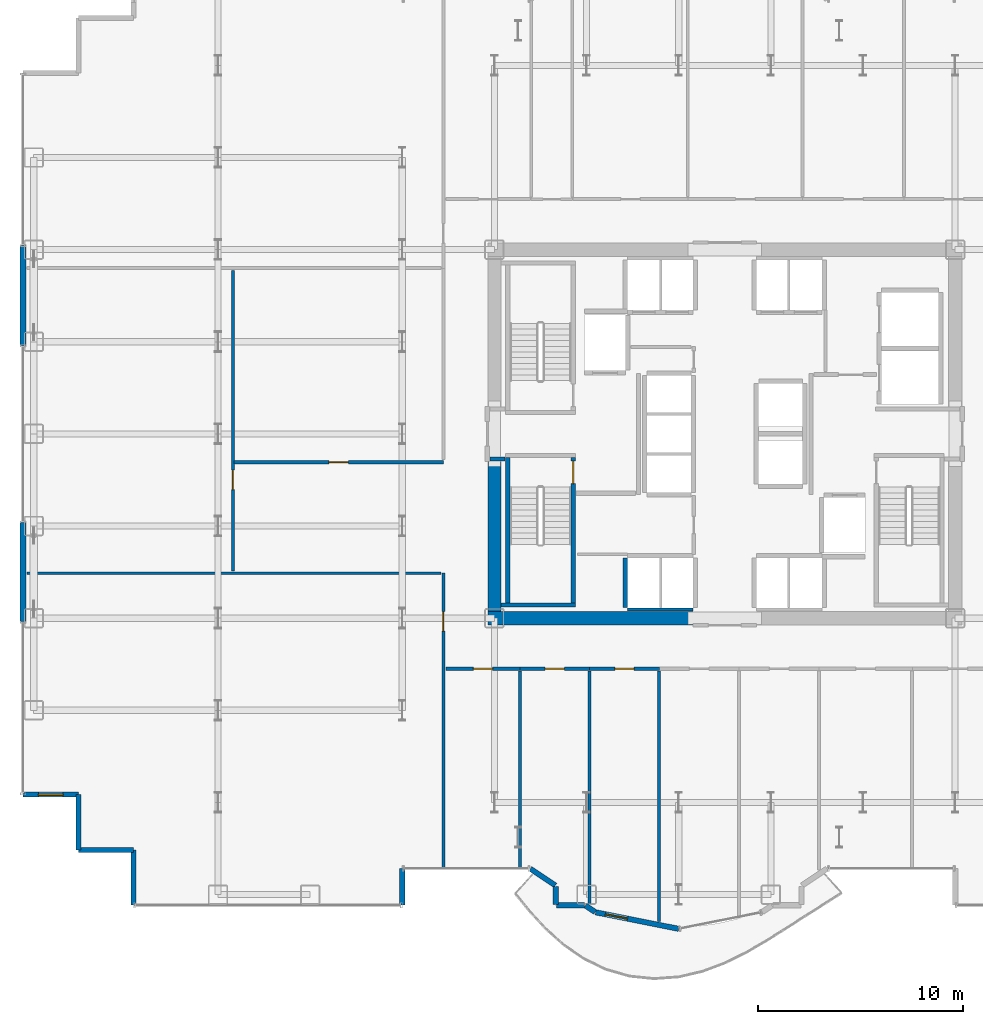
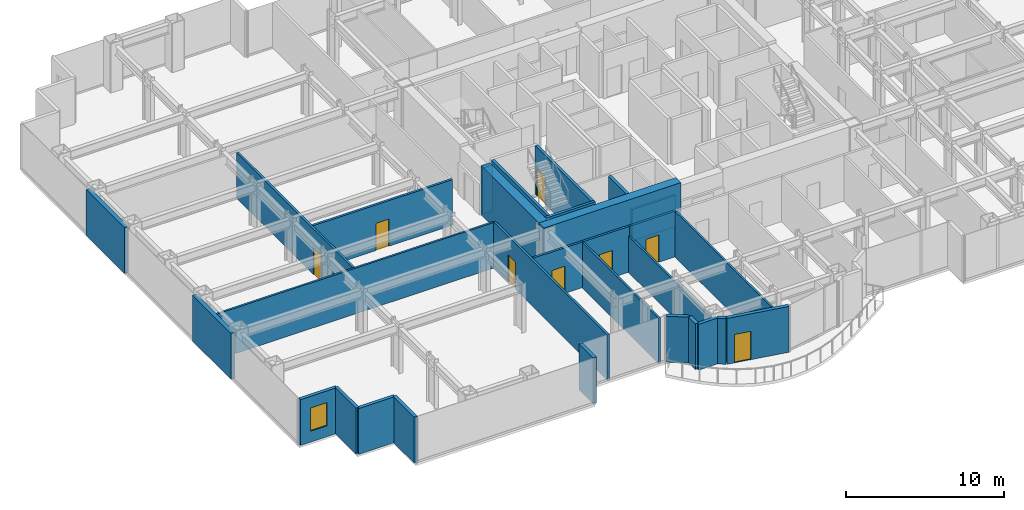
# One storey, part 22 of 29: 30 walls, 8 doors, 1 window, 9 openings.
"""IFC4 building model written with IfcOpenShell, lengths in metres."""

from ifc_helpers import new_model, si_unit, direction, frame, frame_2d, origin, place, context, subcontext, project, spatial, rectangle, extrude, source, transform, mapped, material, layer, layer_set, type_object, element, fill, save


model = new_model("IFC4")

# Units and contexts
model_context = context("Model", 3, precision=1e-05, world=origin(), true_north=direction((0.0, 1.0)))
body_context = subcontext(model_context, "Body", "Model", "MODEL_VIEW")
ifc_project = project(units=[si_unit("LENGTHUNIT", "METRE"), si_unit("AREAUNIT", "SQUARE_METRE"), si_unit("VOLUMEUNIT", "CUBIC_METRE"), si_unit("PLANEANGLEUNIT", "RADIAN"), si_unit("MASSUNIT", "GRAM", prefix="KILO")], contexts=[model_context])

# Site, building, storey
site_placement = place(None, origin())
site = spatial("IfcSite", under=ifc_project, at=site_placement, CompositionType="ELEMENT")
building_placement = place(site_placement, origin())
building = spatial("IfcBuilding", under=site, at=building_placement, Name="Nefas-Gora Pilgrimage Tower", CompositionType="ELEMENT")
storey_placement = place(building_placement, frame((0.0, 0.0, 78.60009765625)))
storey = spatial("IfcBuildingStorey", under=building, at=storey_placement, Name="L18", CompositionType="ELEMENT", Elevation=78.60009765625)

# Walls
ifc_material_1 = material(Name="Concrete C60/75", Category="concrete")
ifc_layer_1 = layer(ifc_material_1, 0.64990234375)
ifc_layer_set_1 = layer_set([ifc_layer_1], Name="Concrete C60/75")
wall_type_1 = type_object("IfcWallType", Name="SW-CORE-650", PredefinedType="SHEAR", material=ifc_layer_set_1)
shared_shape_1 = source(origin(), body_context, "Body", "SweptSolid", [
    extrude(rectangle(XDim=10.02490234375, YDim=0.64990234375, at=frame_2d((5.012451171875, 0.0))), origin(), (0.0, 0.0, 1.0), 3.7998046875),
])
wall_1_placement = place(storey_placement, frame((-11.574951171875, -9.0, 0.0), z_axis=(0.0, 0.0, 1.0), x_axis=(1.0, 0.0, 0.0)))
element("IfcWall", 1, at=wall_1_placement, inside=storey, type_object=wall_type_1, Name="L18 Core Shear Wall S-West", PredefinedType="SHEAR", context=body_context, shape_type="MappedRepresentation", body=[
    mapped(shared_shape_1, transform((0.0, 0.0, 0.0), x_axis=(1.0, 0.0, 0.0), y_axis=(0.0, 1.0, 0.0), z_axis=(0.0, 0.0, 1.0), scale=1.0)),
])
shared_shape_2 = source(origin(), body_context, "Body", "SweptSolid", [
    extrude(rectangle(XDim=7.324951171875, YDim=0.64990234375, at=frame_2d((3.66259765625, 0.0))), origin(), (0.0, 0.0, 1.0), 3.7998046875),
])
wall_2_placement = place(storey_placement, frame((-11.25, -8.675048828125, 0.0), z_axis=(0.0, 0.0, 1.0), x_axis=(0.0, 1.0, 0.0)))
element("IfcWall", 2, at=wall_2_placement, inside=storey, type_object=wall_type_1, Name="L18 Core Shear Wall W-South", PredefinedType="SHEAR", context=body_context, shape_type="MappedRepresentation", body=[
    mapped(shared_shape_2, transform((0.0, 0.0, 0.0), x_axis=(1.0, 0.0, 0.0), y_axis=(0.0, 1.0, 0.0), z_axis=(0.0, 0.0, 1.0), scale=1.0)),
])
ifc_material_2 = material(Name="Precast concrete C40/50", Category="concrete")
ifc_layer_2 = layer(ifc_material_2, 0.260009765625)
ifc_layer_set_2 = layer_set([ifc_layer_2], Name="Precast concrete C40/50")
wall_type_2 = type_object("IfcWallType", Name="EW-PORTAL-260", PredefinedType="SOLIDWALL", material=ifc_layer_set_2)
shared_shape_3 = source(origin(), body_context, "Body", "SweptSolid", [
    extrude(rectangle(XDim=1.800048828125, YDim=0.260009765625, at=frame_2d((0.89990234375, 0.0))), origin(), (0.0, 0.0, 1.0), 3.5498046875),
])
wall_3_placement = place(storey_placement, frame((-15.75, -23.02001953125, 0.0), z_axis=(0.0, 0.0, 1.0), x_axis=(0.0, 1.0, 0.0)))
element("IfcWall", 3, at=wall_3_placement, inside=storey, type_object=wall_type_2, Name="L18 Lobe Shoulder Precast Spandrel Pier 33", PredefinedType="SOLIDWALL", context=body_context, shape_type="MappedRepresentation", body=[
    mapped(shared_shape_3, transform((0.0, 0.0, 0.0), x_axis=(1.0, 0.0, 0.0), y_axis=(0.0, 1.0, 0.0), z_axis=(0.0, 0.0, 1.0), scale=1.0)),
])

# Wall, opening, window
ifc_material_3 = material(Name="Precast concrete C45/55", Category="concrete")
ifc_layer_3 = layer(ifc_material_3, 0.239990234375)
ifc_layer_set_3 = layer_set([ifc_layer_3], Name="Precast concrete C45/55")
wall_type_3 = type_object("IfcWallType", Name="EW-SERR-240", PredefinedType="SHEAR", material=ifc_layer_set_3)
shared_shape_4 = source(origin(), body_context, "Body", "SweptSolid", [
    extrude(rectangle(XDim=2.699951171875, YDim=0.239990234375, at=frame_2d((1.35009765625, 0.0))), origin(), (0.0, 0.0, 1.0), 3.5498046875),
])
wall_4_placement = place(storey_placement, frame((-34.27001953125, -17.6201171875, 0.0), z_axis=(0.0, 0.0, 1.0), x_axis=(1.0, 0.0, 0.0)))
wall_4 = element("IfcWall", 4, at=wall_4_placement, inside=storey, type_object=wall_type_3, Name="L18 Serrated Corner Shear Pier Wall 29", PredefinedType="SHEAR", context=body_context, shape_type="MappedRepresentation", body=[
    mapped(shared_shape_4, transform((0.0, 0.0, 0.0), x_axis=(1.0, 0.0, 0.0), y_axis=(0.0, 1.0, 0.0), z_axis=(0.0, 0.0, 1.0), scale=1.0)),
])
opening_1_placement = place(wall_4_placement, frame((0.75, 0.0, 0.85009765625)))
opening_1 = element("IfcOpeningElement", 5, at=opening_1_placement, cuts=wall_4, Name="Opening W-V1", PredefinedType="OPENING", context=body_context, shape_type="SweptSolid", body=[
    extrude(rectangle(XDim=1.199951171875, YDim=1.800048828125, at=frame_2d((0.60009765625, 0.89990234375))), frame((0.0, 0.1298828125, 0.0), z_axis=(0.0, -1.0, 0.0), x_axis=(1.0, 0.0, 0.0)), (0.0, 0.0, 1.0), 0.260009765625),
])
ifc_material_4 = material(Name="Dark ceramic-fritted operable aluminium-glass window", Category="aluminium")
window_type = type_object("IfcWindowType", Name="WIN-VENT-1200x1800", PartitioningType="SINGLE_PANEL", PredefinedType="WINDOW", material=ifc_material_4)
shared_shape_5 = source(origin(), body_context, "Body", "SweptSolid", [
    extrude(rectangle(XDim=1.199951171875, YDim=1.800048828125, at=frame_2d((0.60009765625, 0.89990234375))), frame((0.0, 0.030029296875, 0.0), z_axis=(0.0, -1.0, 0.0), x_axis=(1.0, 0.0, 0.0)), (0.0, 0.0, 1.0), 0.06005859375),
])
window_placement = place(opening_1_placement, origin())
window = element("IfcWindow", 6, at=window_placement, inside=storey, type_object=window_type, Name="L18 Operable Parallel-Outswing Window 29", OverallHeight=1.800048828125, OverallWidth=1.199951171875, PartitioningType="SINGLE_PANEL", PredefinedType="WINDOW", context=body_context, shape_type="MappedRepresentation", body=[
    mapped(shared_shape_5, transform((0.0, 0.0, 0.0), x_axis=(1.0, 0.0, 0.0), y_axis=(0.0, 1.0, 0.0), z_axis=(0.0, 0.0, 1.0), scale=1.0)),
])
fill(opening_1, window)

# Walls
for number, where, z_axis, x_axis, name in (
    (7, (-31.570068359375, -17.6201171875, 0.0), (0.0, 0.0, 1.0), (0.0, -1.0, 0.0), "L18 Serrated Corner Shear Pier Wall 30"),
    (8, (-31.570068359375, -20.320068359375, 0.0), (0.0, 0.0, 1.0), (1.0, 0.0, 0.0), "L18 Serrated Corner Shear Pier Wall 31"),
    (9, (-28.8701171875, -20.320068359375, 0.0), (0.0, 0.0, 1.0), (0.0, -1.0, 0.0), "L18 Serrated Corner Shear Pier Wall 32"),
):
    element("IfcWall", number, at=place(storey_placement, frame(where, z_axis=z_axis, x_axis=x_axis)), inside=storey, type_object=wall_type_3, Name=name, PredefinedType="SHEAR", context=body_context, shape_type="MappedRepresentation", body=[
        mapped(shared_shape_4, transform((0.0, 0.0, 0.0), x_axis=(1.0, 0.0, 0.0), y_axis=(0.0, 1.0, 0.0), z_axis=(0.0, 0.0, 1.0), scale=1.0)),
    ])
shared_shape_6 = source(origin(), body_context, "Body", "SweptSolid", [
    extrude(rectangle(XDim=1.468994140625, YDim=0.260009765625, at=frame_2d((0.734375, 0.0))), origin(), (0.0, 0.0, 1.0), 3.5498046875),
])
wall_5_placement = place(storey_placement, frame((-9.49462890625, -21.235595703125, 0.0), z_axis=(0.0, 0.0, 1.0), x_axis=(0.831461760506, -0.555581983884, 0.0)))
element("IfcWall", 10, at=wall_5_placement, inside=storey, type_object=wall_type_2, Name="L18 Lobe Shoulder Precast Spandrel Pier 34", PredefinedType="SOLIDWALL", context=body_context, shape_type="MappedRepresentation", body=[
    mapped(shared_shape_6, transform((0.0, 0.0, 0.0), x_axis=(1.0, 0.0, 0.0), y_axis=(0.0, 1.0, 0.0), z_axis=(0.0, 0.0, 1.0), scale=1.0)),
])
shared_shape_7 = source(origin(), body_context, "Body", "SweptSolid", [
    extrude(rectangle(XDim=0.896728515625, YDim=0.260009765625, at=frame_2d((0.4482421875, 0.0))), origin(), (0.0, 0.0, 1.0), 3.5498046875),
])
wall_6_placement = place(storey_placement, frame((-8.25, -22.09521484375, 0.0), z_axis=(0.0, 0.0, 1.0), x_axis=(0.0, -1.0, 0.0)))
element("IfcWall", 11, at=wall_6_placement, inside=storey, type_object=wall_type_2, Name="L18 Lobe Shoulder Precast Spandrel Pier 35", PredefinedType="SOLIDWALL", context=body_context, shape_type="MappedRepresentation", body=[
    mapped(shared_shape_7, transform((0.0, 0.0, 0.0), x_axis=(1.0, 0.0, 0.0), y_axis=(0.0, 1.0, 0.0), z_axis=(0.0, 0.0, 1.0), scale=1.0)),
])
shared_shape_8 = source(origin(), body_context, "Body", "SweptSolid", [
    extrude(rectangle(XDim=1.369873046875, YDim=0.260009765625, at=frame_2d((0.68505859375, 0.0))), origin(), (0.0, 0.0, 1.0), 3.5498046875),
])
wall_7_placement = place(storey_placement, frame((-8.221923828125, -23.02001953125, 0.0), z_axis=(0.0, 0.0, 1.0), x_axis=(1.0, 0.0, 0.0)))
element("IfcWall", 12, at=wall_7_placement, inside=storey, type_object=wall_type_2, Name="L18 Lobe Shoulder Precast Spandrel Pier 36", PredefinedType="SOLIDWALL", context=body_context, shape_type="MappedRepresentation", body=[
    mapped(shared_shape_8, transform((0.0, 0.0, 0.0), x_axis=(1.0, 0.0, 0.0), y_axis=(0.0, 1.0, 0.0), z_axis=(0.0, 0.0, 1.0), scale=1.0)),
])
shared_shape_9 = source(origin(), body_context, "Body", "SweptSolid", [
    extrude(rectangle(XDim=0.5654296875, YDim=0.260009765625, at=frame_2d((0.28271484375, 0.0))), origin(), (0.0, 0.0, 1.0), 3.5498046875),
])
wall_8_placement = place(storey_placement, frame((-6.80078125, -23.03564453125, 0.0), z_axis=(0.0, 0.0, 1.0), x_axis=(0.831651492666, -0.555297933317, 0.0)))
element("IfcWall", 13, at=wall_8_placement, inside=storey, type_object=wall_type_2, Name="L18 Lobe Shoulder Precast Spandrel Pier 37", PredefinedType="SOLIDWALL", context=body_context, shape_type="MappedRepresentation", body=[
    mapped(shared_shape_9, transform((0.0, 0.0, 0.0), x_axis=(1.0, 0.0, 0.0), y_axis=(0.0, 1.0, 0.0), z_axis=(0.0, 0.0, 1.0), scale=1.0)),
])
shared_shape_10 = source(origin(), body_context, "Body", "SweptSolid", [
    extrude(rectangle(XDim=4.8798828125, YDim=0.300048828125, at=frame_2d((2.43994140625, 0.0))), origin(), (0.0, 0.0, 1.0), 3.5498046875),
])
for number, where, z_axis, x_axis, name in (
    (14, (-34.27001953125, -9.18994140625, 0.0), (0.0, 0.0, 1.0), (0.0, 1.0, 0.0), "L18 Braced-Tube Precast Shear Cladding 1"),
    (15, (-34.27001953125, 4.31005859375, 0.0), (0.0, 0.0, 1.0), (0.0, 1.0, 0.0), "L18 Braced-Tube Precast Shear Cladding 2"),
):
    element("IfcWall", number, at=place(storey_placement, frame(where, z_axis=z_axis, x_axis=x_axis)), inside=storey, type_object=wall_type_3, Name=name, PredefinedType="SHEAR", context=body_context, shape_type="MappedRepresentation", body=[
        mapped(shared_shape_10, transform((0.0, 0.0, 0.0), x_axis=(1.0, 0.0, 0.0), y_axis=(0.0, 1.0, 0.0), z_axis=(0.0, 0.0, 1.0), scale=1.0)),
    ])

# Wall, opening, door
shared_shape_11 = source(origin(), body_context, "Body", "SweptSolid", [
    extrude(rectangle(XDim=4.136962890625, YDim=0.260009765625, at=frame_2d((2.068359375, 0.0))), origin(), (0.0, 0.0, 1.0), 3.5498046875),
])
wall_9_placement = place(storey_placement, frame((-6.307373046875, -23.365234375, 0.0), z_axis=(0.0, 0.0, 1.0), x_axis=(0.980782170794, -0.195105954428, 0.0)))
wall_9 = element("IfcWall", 16, at=wall_9_placement, inside=storey, type_object=wall_type_2, Name="L18 Insulated Terrace Portal Wall 38", PredefinedType="SOLIDWALL", context=body_context, shape_type="MappedRepresentation", body=[
    mapped(shared_shape_11, transform((0.0, 0.0, 0.0), x_axis=(1.0, 0.0, 0.0), y_axis=(0.0, 1.0, 0.0), z_axis=(0.0, 0.0, 1.0), scale=1.0)),
])
opening_2_placement = place(wall_9_placement, frame((0.48779296875, 0.0, 0.0)))
opening_2 = element("IfcOpeningElement", 17, at=opening_2_placement, cuts=wall_9, Name="Opening ED-B1", PredefinedType="OPENING", context=body_context, shape_type="SweptSolid", body=[
    extrude(rectangle(XDim=1.10009765625, YDim=2.199951171875, at=frame_2d((0.550048828125, 1.10009765625))), frame((0.0, 0.139892578125, 0.0), z_axis=(0.0, -1.0, 0.0), x_axis=(1.0, 0.0, 0.0)), (0.0, 0.0, 1.0), 0.280029296875),
])
ifc_material_5 = material(Name="Thermally broken glazed aluminium balcony door", Category="aluminium")
door_type_1 = type_object("IfcDoorType", Name="DR-EXT-BAL-1100", OperationType="NOTDEFINED", PredefinedType="DOOR", material=ifc_material_5)
shared_shape_12 = source(origin(), body_context, "Body", "SweptSolid", [
    extrude(rectangle(XDim=1.10009765625, YDim=2.199951171875, at=frame_2d((0.550048828125, 1.10009765625))), frame((0.0, 0.02490234375, 0.0), z_axis=(0.0, -1.0, 0.0), x_axis=(1.0, 0.0, 0.0)), (0.0, 0.0, 1.0), 0.050048828125),
])
door_1_placement = place(opening_2_placement, origin())
door_1 = element("IfcDoor", 18, at=door_1_placement, inside=storey, type_object=door_type_1, Name="L18 Exterior Door (L18 S Lobe Wave Balcony)", OperationType="SINGLE_SWING_RIGHT", OverallHeight=2.199951171875, OverallWidth=1.10009765625, PredefinedType="DOOR", context=body_context, shape_type="MappedRepresentation", body=[
    mapped(shared_shape_12, transform((0.0, 0.0, 0.0), x_axis=(1.0, 0.0, 0.0), y_axis=(0.0, 1.0, 0.0), z_axis=(0.0, 0.0, 1.0), scale=1.0)),
])
fill(opening_2, door_1)

# Walls
ifc_material_6 = material(Name="Concrete C45/55", Category="concrete")
ifc_layer_4 = layer(ifc_material_6, 0.199951171875)
ifc_layer_set_4 = layer_set([ifc_layer_4], Name="Concrete C45/55")
wall_type_4 = type_object("IfcWallType", Name="IW-STAIR-200", PredefinedType="SOLIDWALL", material=ifc_layer_set_4)
shared_shape_13 = source(origin(), body_context, "Body", "SweptSolid", [
    extrude(rectangle(XDim=3.6298828125, YDim=0.199951171875, at=frame_2d((1.81494140625, 0.0))), origin(), (0.0, 0.0, 1.0), 3.7998046875),
])
wall_10_placement = place(storey_placement, frame((-10.929931640625, -8.35009765625, 0.0), z_axis=(0.0, 0.0, 1.0), x_axis=(1.0, 0.0, 0.0)))
element("IfcWall", 19, at=wall_10_placement, inside=storey, type_object=wall_type_4, Name="L18 Stairwell Shear Wall ST-03-far", PredefinedType="SOLIDWALL", context=body_context, shape_type="MappedRepresentation", body=[
    mapped(shared_shape_13, transform((0.0, 0.0, 0.0), x_axis=(1.0, 0.0, 0.0), y_axis=(0.0, 1.0, 0.0), z_axis=(0.0, 0.0, 1.0), scale=1.0)),
])
shared_shape_14 = source(origin(), body_context, "Body", "SweptSolid", [
    extrude(rectangle(XDim=7.10009765625, YDim=0.199951171875, at=frame_2d((3.550048828125, 0.0))), origin(), (0.0, 0.0, 1.0), 3.7998046875),
])
wall_11_placement = place(storey_placement, frame((-10.60009765625, -1.14990234375, 0.0), z_axis=(0.0, 0.0, 1.0), x_axis=(0.0, -1.0, 0.0)))
element("IfcWall", 20, at=wall_11_placement, inside=storey, type_object=wall_type_4, Name="L18 Stairwell Shear Wall ST-03-left", PredefinedType="SOLIDWALL", context=body_context, shape_type="MappedRepresentation", body=[
    mapped(shared_shape_14, transform((0.0, 0.0, 0.0), x_axis=(1.0, 0.0, 0.0), y_axis=(0.0, 1.0, 0.0), z_axis=(0.0, 0.0, 1.0), scale=1.0)),
])

# Wall, opening, door
wall_12_placement = place(storey_placement, frame((-7.39990234375, -1.14990234375, 0.0), z_axis=(0.0, 0.0, 1.0), x_axis=(0.0, -1.0, 0.0)))
wall_12 = element("IfcWall", 21, at=wall_12_placement, inside=storey, type_object=wall_type_4, Name="L18 Stairwell Shear Wall ST-03-right", PredefinedType="SOLIDWALL", context=body_context, shape_type="MappedRepresentation", body=[
    mapped(shared_shape_14, transform((0.0, 0.0, 0.0), x_axis=(1.0, 0.0, 0.0), y_axis=(0.0, 1.0, 0.0), z_axis=(0.0, 0.0, 1.0), scale=1.0)),
])
opening_3_placement = place(wall_12_placement, frame((0.179931640625, 0.0, 0.0)))
opening_3 = element("IfcOpeningElement", 22, at=opening_3_placement, cuts=wall_12, Name="Opening ID-ST1", PredefinedType="OPENING", context=body_context, shape_type="SweptSolid", body=[
    extrude(rectangle(XDim=1.10009765625, YDim=2.14990234375, at=frame_2d((0.550048828125, 1.074951171875))), frame((0.0, 0.10986328125, 0.0), z_axis=(0.0, -1.0, 0.0), x_axis=(1.0, 0.0, 0.0)), (0.0, 0.0, 1.0), 0.219970703125),
])
ifc_material_7 = material(Name="Painted galvanised steel fire stair door", Category="steel")
door_type_2 = type_object("IfcDoorType", Name="DR-INT-STAIR-1100", OperationType="NOTDEFINED", PredefinedType="DOOR", material=ifc_material_7)
shared_shape_15 = source(origin(), body_context, "Body", "SweptSolid", [
    extrude(rectangle(XDim=1.10009765625, YDim=2.14990234375, at=frame_2d((0.550048828125, 1.074951171875))), frame((0.0, 0.02490234375, 0.0), z_axis=(0.0, -1.0, 0.0), x_axis=(1.0, 0.0, 0.0)), (0.0, 0.0, 1.0), 0.050048828125),
])
door_2_placement = place(opening_3_placement, origin())
door_2 = element("IfcDoor", 23, at=door_2_placement, inside=storey, type_object=door_type_2, Name="L18 Protected Exit Stair Door ST-03", OperationType="SINGLE_SWING_RIGHT", OverallHeight=2.14990234375, OverallWidth=1.10009765625, PredefinedType="DOOR", context=body_context, shape_type="MappedRepresentation", body=[
    mapped(shared_shape_15, transform((0.0, 0.0, 0.0), x_axis=(1.0, 0.0, 0.0), y_axis=(0.0, 1.0, 0.0), z_axis=(0.0, 0.0, 1.0), scale=1.0)),
])
fill(opening_3, door_2)

# Walls
ifc_material_8 = material(Name="Concrete C40/50", Category="concrete")
ifc_layer_5 = layer(ifc_material_8, 0.219970703125)
ifc_layer_set_5 = layer_set([ifc_layer_5], Name="Concrete C40/50")
wall_type_5 = type_object("IfcWallType", Name="IW-SHAFT-220", PredefinedType="SOLIDWALL", material=ifc_layer_set_5)
shared_shape_16 = source(origin(), body_context, "Body", "SweptSolid", [
    extrude(rectangle(XDim=2.429931640625, YDim=0.219970703125, at=frame_2d((1.21484375, 0.0))), origin(), (0.0, 0.0, 1.0), 3.534912109375),
])
wall_13_placement = place(storey_placement, frame((-4.860107421875, -6.06005859375, 0.0), z_axis=(0.0, 0.0, 1.0), x_axis=(0.0, -1.0, 0.0)))
element("IfcWall", 24, at=wall_13_placement, inside=storey, type_object=wall_type_5, Name="L18 Hoistway Wall PL2-W-W", PredefinedType="SOLIDWALL", context=body_context, shape_type="MappedRepresentation", body=[
    mapped(shared_shape_16, transform((0.0, 0.0, 0.0), x_axis=(1.0, 0.0, 0.0), y_axis=(0.0, 1.0, 0.0), z_axis=(0.0, 0.0, 1.0), scale=1.0)),
])
ifc_material_9 = material(Name="Gypsum acoustic stud partition")
ifc_layer_6 = layer(ifc_material_9, 0.159912109375)
ifc_layer_set_6 = layer_set([ifc_layer_6], Name="Gypsum acoustic stud partition")
wall_type_6 = type_object("IfcWallType", Name="IW-CORR-160", PredefinedType="PARTITIONING", material=ifc_layer_set_6)
shared_shape_17 = source(origin(), body_context, "Body", "SweptSolid", [
    extrude(rectangle(XDim=3.199951171875, YDim=0.159912109375, at=frame_2d((1.60009765625, 0.0))), origin(), (0.0, 0.0, 1.0), 2.4248046875),
])
wall_14_placement = place(storey_placement, frame((-4.75, -8.580078125, 0.0), z_axis=(0.0, 0.0, 1.0), x_axis=(1.0, 0.0, 0.0)))
element("IfcWall", 25, at=wall_14_placement, inside=storey, type_object=wall_type_6, Name="L18 Hoistway Wall PL2-W-S", PredefinedType="PARTITIONING", context=body_context, shape_type="MappedRepresentation", body=[
    mapped(shared_shape_17, transform((0.0, 0.0, 0.0), x_axis=(1.0, 0.0, 0.0), y_axis=(0.0, 1.0, 0.0), z_axis=(0.0, 0.0, 1.0), scale=1.0)),
])
ifc_material_10 = material(Name="Gypsum fire-rated shaftwall")
ifc_layer_7 = layer(ifc_material_10, 0.199951171875)
ifc_layer_set_7 = layer_set([ifc_layer_7], Name="Gypsum fire-rated shaftwall")
wall_type_7 = type_object("IfcWallType", Name="IW-FFLOB-200", PredefinedType="PARTITIONING", material=ifc_layer_set_7)
shared_shape_18 = source(origin(), body_context, "Body", "SweptSolid", [
    extrude(rectangle(XDim=0.719970703125, YDim=0.199951171875, at=frame_2d((0.35986328125, 0.0))), origin(), (0.0, 0.0, 1.0), 3.534912109375),
])
wall_15_placement = place(storey_placement, frame((-11.4599609375, -1.219970703125, 0.0), z_axis=(0.0, 0.0, 1.0), x_axis=(1.0, 0.0, 0.0)))
element("IfcWall", 26, at=wall_15_placement, inside=storey, type_object=wall_type_7, Name="L18 FF Lobby West Throat S Wall 7", PredefinedType="PARTITIONING", context=body_context, shape_type="MappedRepresentation", body=[
    mapped(shared_shape_18, transform((0.0, 0.0, 0.0), x_axis=(1.0, 0.0, 0.0), y_axis=(0.0, 1.0, 0.0), z_axis=(0.0, 0.0, 1.0), scale=1.0)),
])
ifc_material_11 = material(Name="Gypsum twin-stud partition")
ifc_layer_8 = layer(ifc_material_11, 0.139892578125)
ifc_layer_set_8 = layer_set([ifc_layer_8], Name="Gypsum twin-stud partition")
wall_type_8 = type_object("IfcWallType", Name="IW-UNIT-140", PredefinedType="PARTITIONING", material=ifc_layer_set_8)
shared_shape_19 = source(origin(), body_context, "Body", "SweptSolid", [
    extrude(rectangle(XDim=20.219970703125, YDim=0.139892578125, at=frame_2d((10.10986328125, 0.0))), origin(), (0.0, 0.0, 1.0), 3.534912109375),
])
wall_16_placement = place(storey_placement, frame((-34.080078125, -6.804931640625, 0.0), z_axis=(0.0, 0.0, 1.0), x_axis=(1.0, 0.0, 0.0)))
element("IfcWall", 27, at=wall_16_placement, inside=storey, type_object=wall_type_8, Name="L18 Pilgrim Devotional Prayer Gallery Partition Wall 28", PredefinedType="PARTITIONING", context=body_context, shape_type="MappedRepresentation", body=[
    mapped(shared_shape_19, transform((0.0, 0.0, 0.0), x_axis=(1.0, 0.0, 0.0), y_axis=(0.0, 1.0, 0.0), z_axis=(0.0, 0.0, 1.0), scale=1.0)),
])

# Wall, opening, door
shared_shape_20 = source(origin(), body_context, "Body", "SweptSolid", [
    extrude(rectangle(XDim=10.25, YDim=0.159912109375, at=frame_2d((5.125, 0.0))), origin(), (0.0, 0.0, 1.0), 3.534912109375),
])
wall_17_placement = place(storey_placement, frame((-23.97998046875, -1.3798828125, 0.0), z_axis=(0.0, 0.0, 1.0), x_axis=(1.0, 0.0, 0.0)))
wall_17 = element("IfcWall", 28, at=wall_17_placement, inside=storey, type_object=wall_type_6, Name="L18 Pilgrim Devotional Prayer Gallery Partition Wall 31", PredefinedType="PARTITIONING", context=body_context, shape_type="MappedRepresentation", body=[
    mapped(shared_shape_20, transform((0.0, 0.0, 0.0), x_axis=(1.0, 0.0, 0.0), y_axis=(0.0, 1.0, 0.0), z_axis=(0.0, 0.0, 1.0), scale=1.0)),
])
opening_4_placement = place(wall_17_placement, frame((4.64990234375, 0.0, 0.0)))
opening_4 = element("IfcOpeningElement", 29, at=opening_4_placement, cuts=wall_17, Name="Opening ID-GR1", PredefinedType="OPENING", context=body_context, shape_type="SweptSolid", body=[
    extrude(rectangle(XDim=0.949951171875, YDim=2.10009765625, at=frame_2d((0.47509765625, 1.050048828125))), frame((0.0, 0.08984375, 0.0), z_axis=(0.0, -1.0, 0.0), x_axis=(1.0, 0.0, 0.0)), (0.0, 0.0, 1.0), 0.179931640625),
])
ifc_material_12 = material(Name="Solid core oak fire-rated guest entrance door")
door_type_3 = type_object("IfcDoorType", Name="DR-INT-GUEST-950", OperationType="NOTDEFINED", PredefinedType="DOOR", material=ifc_material_12)
shared_shape_21 = source(origin(), body_context, "Body", "SweptSolid", [
    extrude(rectangle(XDim=0.949951171875, YDim=2.10009765625, at=frame_2d((0.47509765625, 1.050048828125))), frame((0.0, 0.02490234375, 0.0), z_axis=(0.0, -1.0, 0.0), x_axis=(1.0, 0.0, 0.0)), (0.0, 0.0, 1.0), 0.050048828125),
])
door_3_placement = place(opening_4_placement, origin())
door_3 = element("IfcDoor", 30, at=door_3_placement, inside=storey, type_object=door_type_3, Name="L18 Pilgrim Devotional Prayer Gallery Door 12", OperationType="SINGLE_SWING_LEFT", OverallHeight=2.10009765625, OverallWidth=0.949951171875, PredefinedType="DOOR", context=body_context, shape_type="MappedRepresentation", body=[
    mapped(shared_shape_21, transform((0.0, 0.0, 0.0), x_axis=(1.0, 0.0, 0.0), y_axis=(0.0, 1.0, 0.0), z_axis=(0.0, 0.0, 1.0), scale=1.0)),
])
fill(opening_4, door_3)

# Wall
shared_shape_22 = source(origin(), body_context, "Body", "SweptSolid", [
    extrude(rectangle(XDim=9.64990234375, YDim=0.139892578125, at=frame_2d((4.824951171875, 0.0))), origin(), (0.0, 0.0, 1.0), 3.534912109375),
])
wall_18_placement = place(storey_placement, frame((-10.0048828125, -21.239990234375, 0.0), z_axis=(0.0, 0.0, 1.0), x_axis=(0.0, 1.0, 0.0)))
element("IfcWall", 31, at=wall_18_placement, inside=storey, type_object=wall_type_8, Name="L18 Pilgrim Contemplative Lounge Partition Wall 53", PredefinedType="PARTITIONING", context=body_context, shape_type="MappedRepresentation", body=[
    mapped(shared_shape_22, transform((0.0, 0.0, 0.0), x_axis=(1.0, 0.0, 0.0), y_axis=(0.0, 1.0, 0.0), z_axis=(0.0, 0.0, 1.0), scale=1.0)),
])

# Wall, opening, door
shared_shape_23 = source(origin(), body_context, "Body", "SweptSolid", [
    extrude(rectangle(XDim=14.445068359375, YDim=0.159912109375, at=frame_2d((7.22265625, 0.0))), origin(), (0.0, 0.0, 1.0), 3.534912109375),
])
wall_19_placement = place(storey_placement, frame((-13.739990234375, -21.239990234375, 0.0), z_axis=(0.0, 0.0, 1.0), x_axis=(0.0, 1.0, 0.0)))
wall_19 = element("IfcWall", 32, at=wall_19_placement, inside=storey, type_object=wall_type_6, Name="L18 Pilgrim Devotional Prayer Gallery Partition Wall 27", PredefinedType="PARTITIONING", context=body_context, shape_type="MappedRepresentation", body=[
    mapped(shared_shape_23, transform((0.0, 0.0, 0.0), x_axis=(1.0, 0.0, 0.0), y_axis=(0.0, 1.0, 0.0), z_axis=(0.0, 0.0, 1.0), scale=1.0)),
])
opening_5_placement = place(wall_19_placement, frame((11.612548828125, 0.0, 0.0)))
opening_5 = element("IfcOpeningElement", 33, at=opening_5_placement, cuts=wall_19, Name="Opening ID-GR1", PredefinedType="OPENING", context=body_context, shape_type="SweptSolid", body=[
    extrude(rectangle(XDim=0.949951171875, YDim=2.10009765625, at=frame_2d((0.47509765625, 1.050048828125))), frame((0.0, 0.08984375, 0.0), z_axis=(0.0, -1.0, 0.0), x_axis=(1.0, 0.0, 0.0)), (0.0, 0.0, 1.0), 0.179931640625),
])
door_4_placement = place(opening_5_placement, origin())
door_4 = element("IfcDoor", 34, at=door_4_placement, inside=storey, type_object=door_type_3, Name="L18 Pilgrim Devotional Prayer Gallery Door 10", OperationType="SINGLE_SWING_LEFT", OverallHeight=2.10009765625, OverallWidth=0.949951171875, PredefinedType="DOOR", context=body_context, shape_type="MappedRepresentation", body=[
    mapped(shared_shape_21, transform((0.0, 0.0, 0.0), x_axis=(1.0, 0.0, 0.0), y_axis=(0.0, 1.0, 0.0), z_axis=(0.0, 0.0, 1.0), scale=1.0)),
])
fill(opening_5, door_4)

shared_shape_24 = source(origin(), body_context, "Body", "SweptSolid", [
    extrude(rectangle(XDim=14.6826171875, YDim=0.159912109375, at=frame_2d((7.34130859375, 0.0))), origin(), (0.0, 0.0, 1.0), 3.534912109375),
])
wall_20_placement = place(storey_placement, frame((-24.02001953125, -6.695068359375, 0.0), z_axis=(0.0, 0.0, 1.0), x_axis=(0.0, 1.0, 0.0)))
wall_20 = element("IfcWall", 35, at=wall_20_placement, inside=storey, type_object=wall_type_6, Name="L18 Pilgrim Tea and Beverage Pantry Partition Wall 33", PredefinedType="PARTITIONING", context=body_context, shape_type="MappedRepresentation", body=[
    mapped(shared_shape_24, transform((0.0, 0.0, 0.0), x_axis=(1.0, 0.0, 0.0), y_axis=(0.0, 1.0, 0.0), z_axis=(0.0, 0.0, 1.0), scale=1.0)),
])
opening_6_placement = place(wall_20_placement, frame((3.969970703125, 0.0, 0.0)))
opening_6 = element("IfcOpeningElement", 36, at=opening_6_placement, cuts=wall_20, Name="Opening ID-GR1", PredefinedType="OPENING", context=body_context, shape_type="SweptSolid", body=[
    extrude(rectangle(XDim=0.949951171875, YDim=2.10009765625, at=frame_2d((0.47509765625, 1.050048828125))), frame((0.0, 0.08984375, 0.0), z_axis=(0.0, -1.0, 0.0), x_axis=(1.0, 0.0, 0.0)), (0.0, 0.0, 1.0), 0.179931640625),
])
door_5_placement = place(opening_6_placement, origin())
door_5 = element("IfcDoor", 37, at=door_5_placement, inside=storey, type_object=door_type_3, Name="L18 Pilgrim Tea and Beverage Pantry Door 13", OperationType="SINGLE_SWING_RIGHT", OverallHeight=2.10009765625, OverallWidth=0.949951171875, PredefinedType="DOOR", context=body_context, shape_type="MappedRepresentation", body=[
    mapped(shared_shape_21, transform((0.0, 0.0, 0.0), x_axis=(1.0, 0.0, 0.0), y_axis=(0.0, 1.0, 0.0), z_axis=(0.0, 0.0, 1.0), scale=1.0)),
])
fill(opening_6, door_5)

shared_shape_25 = source(origin(), body_context, "Body", "SweptSolid", [
    extrude(rectangle(XDim=3.625, YDim=0.159912109375, at=frame_2d((1.8125, 0.0))), origin(), (0.0, 0.0, 1.0), 3.534912109375),
])
wall_21_placement = place(storey_placement, frame((-13.6201171875, -11.469970703125, 0.0), z_axis=(0.0, 0.0, 1.0), x_axis=(1.0, 0.0, 0.0)))
wall_21 = element("IfcWall", 38, at=wall_21_placement, inside=storey, type_object=wall_type_6, Name="L18 Pilgrim Contemplative Lounge Partition Wall 52", PredefinedType="PARTITIONING", context=body_context, shape_type="MappedRepresentation", body=[
    mapped(shared_shape_25, transform((0.0, 0.0, 0.0), x_axis=(1.0, 0.0, 0.0), y_axis=(0.0, 1.0, 0.0), z_axis=(0.0, 0.0, 1.0), scale=1.0)),
])
opening_7_placement = place(wall_21_placement, frame((1.33740234375, 0.0, 0.0)))
opening_7 = element("IfcOpeningElement", 39, at=opening_7_placement, cuts=wall_21, Name="Opening ID-GR1", PredefinedType="OPENING", context=body_context, shape_type="SweptSolid", body=[
    extrude(rectangle(XDim=0.949951171875, YDim=2.10009765625, at=frame_2d((0.47509765625, 1.050048828125))), frame((0.0, 0.08984375, 0.0), z_axis=(0.0, -1.0, 0.0), x_axis=(1.0, 0.0, 0.0)), (0.0, 0.0, 1.0), 0.179931640625),
])
door_6_placement = place(opening_7_placement, origin())
door_6 = element("IfcDoor", 40, at=door_6_placement, inside=storey, type_object=door_type_3, Name="L18 Pilgrim Contemplative Lounge Door 24", OperationType="SINGLE_SWING_LEFT", OverallHeight=2.10009765625, OverallWidth=0.949951171875, PredefinedType="DOOR", context=body_context, shape_type="MappedRepresentation", body=[
    mapped(shared_shape_21, transform((0.0, 0.0, 0.0), x_axis=(1.0, 0.0, 0.0), y_axis=(0.0, 1.0, 0.0), z_axis=(0.0, 0.0, 1.0), scale=1.0)),
])
fill(opening_7, door_6)

shared_shape_26 = source(origin(), body_context, "Body", "SweptSolid", [
    extrude(rectangle(XDim=3.40478515625, YDim=0.159912109375, at=frame_2d((1.702392578125, 0.0))), origin(), (0.0, 0.0, 1.0), 3.534912109375),
])
wall_22_placement = place(storey_placement, frame((-10.0048828125, -11.469970703125, 0.0), z_axis=(0.0, 0.0, 1.0), x_axis=(1.0, 0.0, 0.0)))
wall_22 = element("IfcWall", 41, at=wall_22_placement, inside=storey, type_object=wall_type_6, Name="L18 Pilgrim Contemplative Lounge Partition Wall 54", PredefinedType="PARTITIONING", context=body_context, shape_type="MappedRepresentation", body=[
    mapped(shared_shape_26, transform((0.0, 0.0, 0.0), x_axis=(1.0, 0.0, 0.0), y_axis=(0.0, 1.0, 0.0), z_axis=(0.0, 0.0, 1.0), scale=1.0)),
])
opening_8_placement = place(wall_22_placement, frame((1.2275390625, 0.0, 0.0)))
opening_8 = element("IfcOpeningElement", 42, at=opening_8_placement, cuts=wall_22, Name="Opening ID-GR1", PredefinedType="OPENING", context=body_context, shape_type="SweptSolid", body=[
    extrude(rectangle(XDim=0.949951171875, YDim=2.10009765625, at=frame_2d((0.47509765625, 1.050048828125))), frame((0.0, 0.08984375, 0.0), z_axis=(0.0, -1.0, 0.0), x_axis=(1.0, 0.0, 0.0)), (0.0, 0.0, 1.0), 0.179931640625),
])
door_7_placement = place(opening_8_placement, origin())
door_7 = element("IfcDoor", 43, at=door_7_placement, inside=storey, type_object=door_type_3, Name="L18 Pilgrim Contemplative Lounge Door 25", OperationType="SINGLE_SWING_RIGHT", OverallHeight=2.10009765625, OverallWidth=0.949951171875, PredefinedType="DOOR", context=body_context, shape_type="MappedRepresentation", body=[
    mapped(shared_shape_21, transform((0.0, 0.0, 0.0), x_axis=(1.0, 0.0, 0.0), y_axis=(0.0, 1.0, 0.0), z_axis=(0.0, 0.0, 1.0), scale=1.0)),
])
fill(opening_8, door_7)

# Wall
shared_shape_27 = source(origin(), body_context, "Body", "SweptSolid", [
    extrude(rectangle(XDim=11.370849609375, YDim=0.139892578125, at=frame_2d((5.685546875, 0.0))), origin(), (0.0, 0.0, 1.0), 2.824951171875),
])
wall_23_placement = place(storey_placement, frame((-6.610107421875, -22.9609375, 0.0), z_axis=(0.0, 0.0, 1.0), x_axis=(0.0, 1.0, 0.0)))
element("IfcWall", 44, at=wall_23_placement, inside=storey, type_object=wall_type_8, Name="L18 Pilgrim Contemplative Lounge Partition Wall 55", PredefinedType="PARTITIONING", context=body_context, shape_type="MappedRepresentation", body=[
    mapped(shared_shape_27, transform((0.0, 0.0, 0.0), x_axis=(1.0, 0.0, 0.0), y_axis=(0.0, 1.0, 0.0), z_axis=(0.0, 0.0, 1.0), scale=1.0)),
])

# Wall, opening, door
shared_shape_28 = source(origin(), body_context, "Body", "SweptSolid", [
    extrude(rectangle(XDim=3.405029296875, YDim=0.159912109375, at=frame_2d((1.70263671875, 0.0))), origin(), (0.0, 0.0, 1.0), 3.534912109375),
])
wall_24_placement = place(storey_placement, frame((-6.60009765625, -11.469970703125, 0.0), z_axis=(0.0, 0.0, 1.0), x_axis=(1.0, 0.0, 0.0)))
wall_24 = element("IfcWall", 45, at=wall_24_placement, inside=storey, type_object=wall_type_6, Name="L18 Pastoral Chaplains Counselling Office Partition Wall 56", PredefinedType="PARTITIONING", context=body_context, shape_type="MappedRepresentation", body=[
    mapped(shared_shape_28, transform((0.0, 0.0, 0.0), x_axis=(1.0, 0.0, 0.0), y_axis=(0.0, 1.0, 0.0), z_axis=(0.0, 0.0, 1.0), scale=1.0)),
])
opening_9_placement = place(wall_24_placement, frame((1.2275390625, 0.0, 0.0)))
opening_9 = element("IfcOpeningElement", 46, at=opening_9_placement, cuts=wall_24, Name="Opening ID-GR1", PredefinedType="OPENING", context=body_context, shape_type="SweptSolid", body=[
    extrude(rectangle(XDim=0.949951171875, YDim=2.10009765625, at=frame_2d((0.47509765625, 1.050048828125))), frame((0.0, 0.08984375, 0.0), z_axis=(0.0, -1.0, 0.0), x_axis=(1.0, 0.0, 0.0)), (0.0, 0.0, 1.0), 0.179931640625),
])
door_8_placement = place(opening_9_placement, origin())
door_8 = element("IfcDoor", 47, at=door_8_placement, inside=storey, type_object=door_type_3, Name="L18 Pastoral Chaplains Counselling Office Door 26", OperationType="SINGLE_SWING_LEFT", OverallHeight=2.10009765625, OverallWidth=0.949951171875, PredefinedType="DOOR", context=body_context, shape_type="MappedRepresentation", body=[
    mapped(shared_shape_21, transform((0.0, 0.0, 0.0), x_axis=(1.0, 0.0, 0.0), y_axis=(0.0, 1.0, 0.0), z_axis=(0.0, 0.0, 1.0), scale=1.0)),
])
fill(opening_9, door_8)

# Wall
shared_shape_29 = source(origin(), body_context, "Body", "SweptSolid", [
    extrude(rectangle(XDim=12.21923828125, YDim=0.139892578125, at=frame_2d((6.109619140625, 0.0))), origin(), (0.0, 0.0, 1.0), 3.534912109375),
])
wall_25_placement = place(storey_placement, frame((-3.205078125, -23.809326171875, 0.0), z_axis=(0.0, 0.0, 1.0), x_axis=(0.0, 1.0, 0.0)))
element("IfcWall", 48, at=wall_25_placement, inside=storey, type_object=wall_type_8, Name="L18 Pastoral Chaplains Counselling Office Partition Wall 57", PredefinedType="PARTITIONING", context=body_context, shape_type="MappedRepresentation", body=[
    mapped(shared_shape_29, transform((0.0, 0.0, 0.0), x_axis=(1.0, 0.0, 0.0), y_axis=(0.0, 1.0, 0.0), z_axis=(0.0, 0.0, 1.0), scale=1.0)),
])

save(model, "model.ifc")
